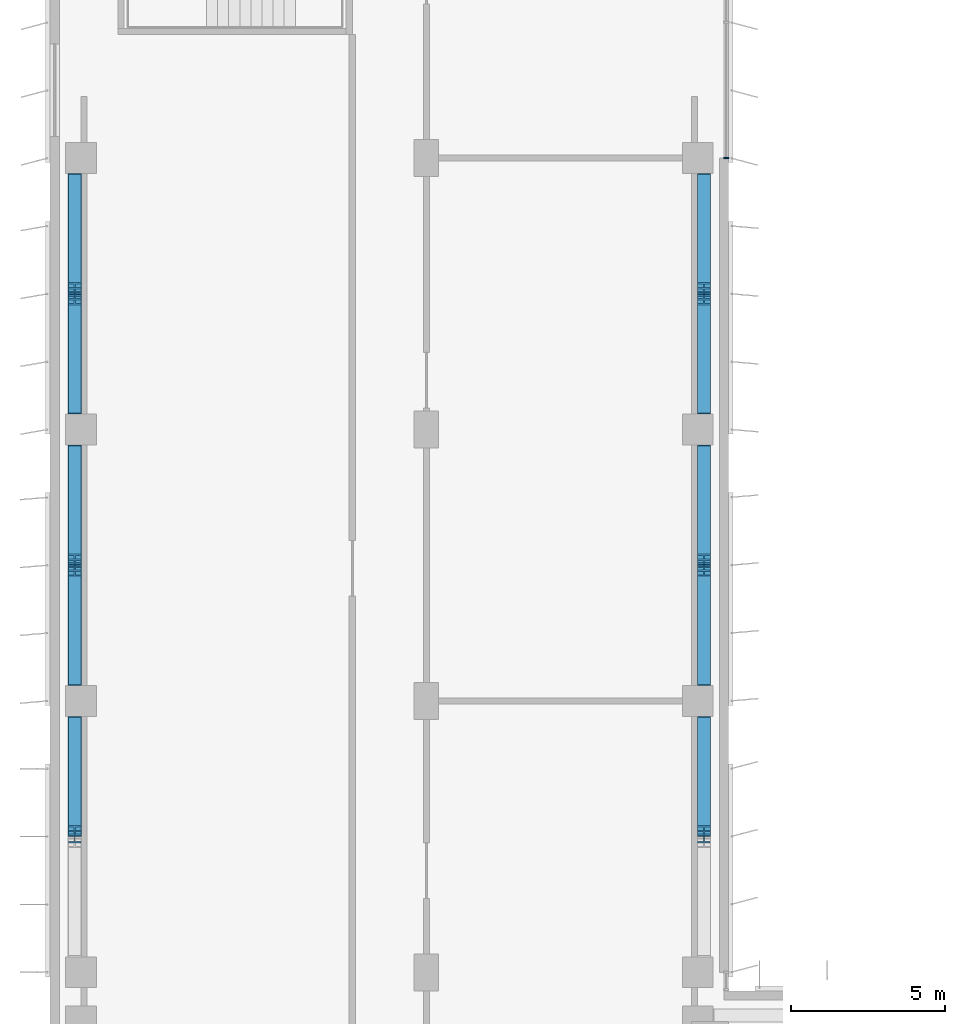
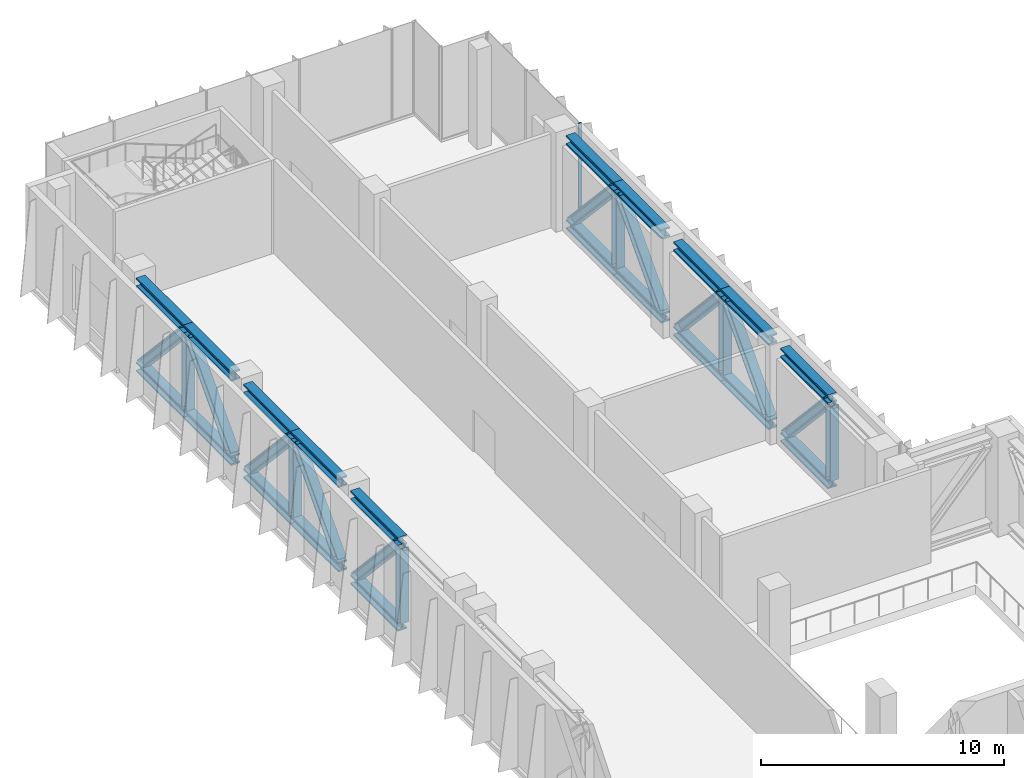
# One storey, part 5 of 17: 20 beams, 17 members, 1 element without a shape of its own.
"""IFC4 building model written with IfcOpenShell, lengths in metres."""

from ifc_helpers import new_model, si_unit, direction, frame, origin, origin_2d, place, context, subcontext, project, spatial, rectangle, i_section, extrude, source, transform, mapped, material, material_profile, profile_set, type_object, element, aggregate, save


model = new_model("IFC4")

# Units and contexts
model_context = context("Model", 3, precision=1e-05, world=origin(), true_north=direction((0.0, 1.0)))
body_context = subcontext(model_context, "Body", "Model", "MODEL_VIEW")
ifc_project = project(units=[si_unit("LENGTHUNIT", "METRE"), si_unit("AREAUNIT", "SQUARE_METRE"), si_unit("VOLUMEUNIT", "CUBIC_METRE"), si_unit("PLANEANGLEUNIT", "RADIAN"), si_unit("MASSUNIT", "GRAM", prefix="KILO")], contexts=[model_context])

# Site, building, storey
site_placement = place(None, origin())
site = spatial("IfcSite", under=ifc_project, at=site_placement, CompositionType="ELEMENT")
building_placement = place(site_placement, origin())
building = spatial("IfcBuilding", under=site, at=building_placement, Name="Kemantara Hotel Tower", CompositionType="ELEMENT")
storey_placement = place(building_placement, frame((0.0, 0.0, 193.800048828125)))
storey = spatial("IfcBuildingStorey", under=building, at=storey_placement, Name="L48", CompositionType="ELEMENT", Elevation=193.800048828125)

# Beams
ifc_material_1 = material(Name="Steel ASTM A992 Grade 50", Category="steel")
ifc_material_profile_1 = material_profile(ifc_material_1, i_section(OverallWidth=0.424072265625, OverallDepth=0.47509765625, WebThickness=0.0478515625, FlangeThickness=0.0771484375, at=origin_2d()), Name="W360X634")
ifc_profile_set_1 = profile_set([ifc_material_profile_1], Name="Steel ASTM A992 Grade 50")
beam_type = type_object("IfcBeamType", Name="BELT L48 TRUSS CHORD W360X634", PredefinedType="BEAM", material=ifc_profile_set_1)
for number, where, z_axis, x_axis, name in (
    (1, (0.800048828125, 31.800048828125, 0.237548828125), (0.0, 1.0, 0.0), (-1.0, 0.0, 0.0), "BELT L48 BAY 4 bottom chord 2"),
    (2, (0.800048828125, 31.800048828125, 4.46240234375), (0.0, 1.0, 0.0), (-1.0, 0.0, 0.0), "BELT L48 BAY 4 top chord 2"),
):
    element("IfcBeam", number, at=place(storey_placement, frame(where, z_axis=z_axis, x_axis=x_axis)), inside=storey, type_object=beam_type, Name=name, PredefinedType="BEAM", context=body_context, shape_type="SweptSolid", body=[
        extrude(i_section(OverallWidth=0.424072265625, OverallDepth=0.47509765625, WebThickness=0.0478515625, FlangeThickness=0.0771484375, at=origin_2d()), origin(), (0.0, 0.0, 1.0), 3.89990234375),
    ])
beam_1_placement = place(storey_placement, frame((0.800048828125, 36.699951171875, 0.237548828125), z_axis=(0.0, 1.0, 0.0), x_axis=(-1.0, 0.0, 0.0)))
element("IfcBeam", 3, at=beam_1_placement, inside=storey, type_object=beam_type, Name="BELT L48 BAY 5 bottom chord 1", PredefinedType="BEAM", context=body_context, shape_type="SweptSolid", body=[
    extrude(i_section(OverallWidth=0.424072265625, OverallDepth=0.47509765625, WebThickness=0.0478515625, FlangeThickness=0.0771484375, at=origin_2d()), origin(), (0.0, 0.0, 1.0), 3.900146484375),
])
beam_2_placement = place(storey_placement, frame((0.800048828125, 40.60009765625, 0.237548828125), z_axis=(0.0, 1.0, 0.0), x_axis=(-1.0, 0.0, 0.0)))
element("IfcBeam", 4, at=beam_2_placement, inside=storey, type_object=beam_type, Name="BELT L48 BAY 5 bottom chord 2", PredefinedType="BEAM", context=body_context, shape_type="SweptSolid", body=[
    extrude(i_section(OverallWidth=0.424072265625, OverallDepth=0.47509765625, WebThickness=0.0478515625, FlangeThickness=0.0771484375, at=origin_2d()), origin(), (0.0, 0.0, 1.0), 3.89990234375),
])
beam_3_placement = place(storey_placement, frame((0.800048828125, 36.699951171875, 4.46240234375), z_axis=(0.0, 1.0, 0.0), x_axis=(-1.0, 0.0, 0.0)))
element("IfcBeam", 5, at=beam_3_placement, inside=storey, type_object=beam_type, Name="BELT L48 BAY 5 top chord 1", PredefinedType="BEAM", context=body_context, shape_type="SweptSolid", body=[
    extrude(i_section(OverallWidth=0.424072265625, OverallDepth=0.47509765625, WebThickness=0.0478515625, FlangeThickness=0.0771484375, at=origin_2d()), origin(), (0.0, 0.0, 1.0), 3.900146484375),
])
for number, where, z_axis, x_axis, name in (
    (6, (0.800048828125, 40.60009765625, 4.46240234375), (0.0, 1.0, 0.0), (-1.0, 0.0, 0.0), "BELT L48 BAY 5 top chord 2"),
    (7, (0.800048828125, 45.5, 0.237548828125), (0.0, 1.0, 0.0), (-1.0, 0.0, 0.0), "BELT L48 BAY 6 bottom chord 1"),
):
    element("IfcBeam", number, at=place(storey_placement, frame(where, z_axis=z_axis, x_axis=x_axis)), inside=storey, type_object=beam_type, Name=name, PredefinedType="BEAM", context=body_context, shape_type="SweptSolid", body=[
        extrude(i_section(OverallWidth=0.424072265625, OverallDepth=0.47509765625, WebThickness=0.0478515625, FlangeThickness=0.0771484375, at=origin_2d()), origin(), (0.0, 0.0, 1.0), 3.89990234375),
    ])
beam_4_placement = place(storey_placement, frame((0.800048828125, 49.39990234375, 0.237548828125), z_axis=(0.0, 1.0, 0.0), x_axis=(-1.0, 0.0, 0.0)))
element("IfcBeam", 8, at=beam_4_placement, inside=storey, type_object=beam_type, Name="BELT L48 BAY 6 bottom chord 2", PredefinedType="BEAM", context=body_context, shape_type="SweptSolid", body=[
    extrude(i_section(OverallWidth=0.424072265625, OverallDepth=0.47509765625, WebThickness=0.0478515625, FlangeThickness=0.0771484375, at=origin_2d()), origin(), (0.0, 0.0, 1.0), 3.900146484375),
])
beam_5_placement = place(storey_placement, frame((0.800048828125, 45.5, 4.46240234375), z_axis=(0.0, 1.0, 0.0), x_axis=(-1.0, 0.0, 0.0)))
element("IfcBeam", 9, at=beam_5_placement, inside=storey, type_object=beam_type, Name="BELT L48 BAY 6 top chord 1", PredefinedType="BEAM", context=body_context, shape_type="SweptSolid", body=[
    extrude(i_section(OverallWidth=0.424072265625, OverallDepth=0.47509765625, WebThickness=0.0478515625, FlangeThickness=0.0771484375, at=origin_2d()), origin(), (0.0, 0.0, 1.0), 3.89990234375),
])
beam_6_placement = place(storey_placement, frame((0.800048828125, 49.39990234375, 4.46240234375), z_axis=(0.0, 1.0, 0.0), x_axis=(-1.0, 0.0, 0.0)))
element("IfcBeam", 10, at=beam_6_placement, inside=storey, type_object=beam_type, Name="BELT L48 BAY 6 top chord 2", PredefinedType="BEAM", context=body_context, shape_type="SweptSolid", body=[
    extrude(i_section(OverallWidth=0.424072265625, OverallDepth=0.47509765625, WebThickness=0.0478515625, FlangeThickness=0.0771484375, at=origin_2d()), origin(), (0.0, 0.0, 1.0), 3.900146484375),
])
for number, where, z_axis, x_axis, name in (
    (11, (21.199951171875, 31.800048828125, 0.237548828125), (0.0, 1.0, 0.0), (-1.0, 0.0, 0.0), "BELT L48 BAY 8 bottom chord 2"),
    (12, (21.199951171875, 31.800048828125, 4.46240234375), (0.0, 1.0, 0.0), (-1.0, 0.0, 0.0), "BELT L48 BAY 8 top chord 2"),
):
    element("IfcBeam", number, at=place(storey_placement, frame(where, z_axis=z_axis, x_axis=x_axis)), inside=storey, type_object=beam_type, Name=name, PredefinedType="BEAM", context=body_context, shape_type="SweptSolid", body=[
        extrude(i_section(OverallWidth=0.424072265625, OverallDepth=0.47509765625, WebThickness=0.0478515625, FlangeThickness=0.0771484375, at=origin_2d()), origin(), (0.0, 0.0, 1.0), 3.89990234375),
    ])
beam_7_placement = place(storey_placement, frame((21.199951171875, 36.699951171875, 0.237548828125), z_axis=(0.0, 1.0, 0.0), x_axis=(-1.0, 0.0, 0.0)))
element("IfcBeam", 13, at=beam_7_placement, inside=storey, type_object=beam_type, Name="BELT L48 BAY 9 bottom chord 1", PredefinedType="BEAM", context=body_context, shape_type="SweptSolid", body=[
    extrude(i_section(OverallWidth=0.424072265625, OverallDepth=0.47509765625, WebThickness=0.0478515625, FlangeThickness=0.0771484375, at=origin_2d()), origin(), (0.0, 0.0, 1.0), 3.900146484375),
])
beam_8_placement = place(storey_placement, frame((21.199951171875, 40.60009765625, 0.237548828125), z_axis=(0.0, 1.0, 0.0), x_axis=(-1.0, 0.0, 0.0)))
element("IfcBeam", 14, at=beam_8_placement, inside=storey, type_object=beam_type, Name="BELT L48 BAY 9 bottom chord 2", PredefinedType="BEAM", context=body_context, shape_type="SweptSolid", body=[
    extrude(i_section(OverallWidth=0.424072265625, OverallDepth=0.47509765625, WebThickness=0.0478515625, FlangeThickness=0.0771484375, at=origin_2d()), origin(), (0.0, 0.0, 1.0), 3.89990234375),
])
beam_9_placement = place(storey_placement, frame((21.199951171875, 36.699951171875, 4.46240234375), z_axis=(0.0, 1.0, 0.0), x_axis=(-1.0, 0.0, 0.0)))
element("IfcBeam", 15, at=beam_9_placement, inside=storey, type_object=beam_type, Name="BELT L48 BAY 9 top chord 1", PredefinedType="BEAM", context=body_context, shape_type="SweptSolid", body=[
    extrude(i_section(OverallWidth=0.424072265625, OverallDepth=0.47509765625, WebThickness=0.0478515625, FlangeThickness=0.0771484375, at=origin_2d()), origin(), (0.0, 0.0, 1.0), 3.900146484375),
])
for number, where, z_axis, x_axis, name in (
    (16, (21.199951171875, 40.60009765625, 4.46240234375), (0.0, 1.0, 0.0), (-1.0, 0.0, 0.0), "BELT L48 BAY 9 top chord 2"),
    (17, (21.199951171875, 45.5, 0.237548828125), (0.0, 1.0, 0.0), (-1.0, 0.0, 0.0), "BELT L48 BAY 10 bottom chord 1"),
):
    element("IfcBeam", number, at=place(storey_placement, frame(where, z_axis=z_axis, x_axis=x_axis)), inside=storey, type_object=beam_type, Name=name, PredefinedType="BEAM", context=body_context, shape_type="SweptSolid", body=[
        extrude(i_section(OverallWidth=0.424072265625, OverallDepth=0.47509765625, WebThickness=0.0478515625, FlangeThickness=0.0771484375, at=origin_2d()), origin(), (0.0, 0.0, 1.0), 3.89990234375),
    ])
beam_10_placement = place(storey_placement, frame((21.199951171875, 49.39990234375, 0.237548828125), z_axis=(0.0, 1.0, 0.0), x_axis=(-1.0, 0.0, 0.0)))
element("IfcBeam", 18, at=beam_10_placement, inside=storey, type_object=beam_type, Name="BELT L48 BAY 10 bottom chord 2", PredefinedType="BEAM", context=body_context, shape_type="SweptSolid", body=[
    extrude(i_section(OverallWidth=0.424072265625, OverallDepth=0.47509765625, WebThickness=0.0478515625, FlangeThickness=0.0771484375, at=origin_2d()), origin(), (0.0, 0.0, 1.0), 3.900146484375),
])
beam_11_placement = place(storey_placement, frame((21.199951171875, 45.5, 4.46240234375), z_axis=(0.0, 1.0, 0.0), x_axis=(-1.0, 0.0, 0.0)))
element("IfcBeam", 19, at=beam_11_placement, inside=storey, type_object=beam_type, Name="BELT L48 BAY 10 top chord 1", PredefinedType="BEAM", context=body_context, shape_type="SweptSolid", body=[
    extrude(i_section(OverallWidth=0.424072265625, OverallDepth=0.47509765625, WebThickness=0.0478515625, FlangeThickness=0.0771484375, at=origin_2d()), origin(), (0.0, 0.0, 1.0), 3.89990234375),
])
beam_12_placement = place(storey_placement, frame((21.199951171875, 49.39990234375, 4.46240234375), z_axis=(0.0, 1.0, 0.0), x_axis=(-1.0, 0.0, 0.0)))
element("IfcBeam", 20, at=beam_12_placement, inside=storey, type_object=beam_type, Name="BELT L48 BAY 10 top chord 2", PredefinedType="BEAM", context=body_context, shape_type="SweptSolid", body=[
    extrude(i_section(OverallWidth=0.424072265625, OverallDepth=0.47509765625, WebThickness=0.0478515625, FlangeThickness=0.0771484375, at=origin_2d()), origin(), (0.0, 0.0, 1.0), 3.900146484375),
])

# Members
ifc_material_profile_2 = material_profile(ifc_material_1, i_section(OverallWidth=0.410888671875, OverallDepth=0.43408203125, WebThickness=0.035888671875, FlangeThickness=0.057373046875, at=origin_2d()), Name="W360X463")
ifc_profile_set_2 = profile_set([ifc_material_profile_2], Name="Steel ASTM A992 Grade 50")
member_type_1 = type_object("IfcMemberType", Name="BELT L48 TRUSS DIAGONAL W360X463", PredefinedType="BRACE", material=ifc_profile_set_2)
member_1_placement = place(storey_placement, frame((0.800048828125, 35.501708984375, 0.4521484375), z_axis=(0.0, -0.678252619101, 0.734828813182), x_axis=(1.0, 0.0, 0.0)))
element("IfcMember", 21, at=member_1_placement, inside=storey, type_object=member_type_1, Name="BELT L48 BAY 4 diagonal 2", PredefinedType="BRACE", context=body_context, shape_type="SweptSolid", body=[
    extrude(i_section(OverallWidth=0.410888671875, OverallDepth=0.43408203125, WebThickness=0.035888671875, FlangeThickness=0.057373046875, at=origin_2d()), origin(), (0.0, 0.0, 1.0), 5.165283203125),
])
member_2_placement = place(storey_placement, frame((0.800048828125, 36.898193359375, 0.4521484375), z_axis=(0.0, 0.678278139711, 0.734805256643), x_axis=(-1.0, 0.0, 0.0)))
element("IfcMember", 22, at=member_2_placement, inside=storey, type_object=member_type_1, Name="BELT L48 BAY 5 diagonal 1", PredefinedType="BRACE", context=body_context, shape_type="SweptSolid", body=[
    extrude(i_section(OverallWidth=0.410888671875, OverallDepth=0.43408203125, WebThickness=0.035888671875, FlangeThickness=0.057373046875, at=origin_2d()), origin(), (0.0, 0.0, 1.0), 5.16552734375),
])
for number, where, z_axis, x_axis, name in (
    (23, (0.800048828125, 44.3017578125, 0.4521484375), (0.0, -0.678252619101, 0.734828813182), (1.0, 0.0, 0.0), "BELT L48 BAY 5 diagonal 2"),
    (24, (0.800048828125, 45.6982421875, 0.4521484375), (0.0, 0.678252619101, 0.734828813182), (-1.0, 0.0, 0.0), "BELT L48 BAY 6 diagonal 1"),
):
    element("IfcMember", number, at=place(storey_placement, frame(where, z_axis=z_axis, x_axis=x_axis)), inside=storey, type_object=member_type_1, Name=name, PredefinedType="BRACE", context=body_context, shape_type="SweptSolid", body=[
        extrude(i_section(OverallWidth=0.410888671875, OverallDepth=0.43408203125, WebThickness=0.035888671875, FlangeThickness=0.057373046875, at=origin_2d()), origin(), (0.0, 0.0, 1.0), 5.165283203125),
    ])
member_3_placement = place(storey_placement, frame((0.800048828125, 53.101806640625, 0.4521484375), z_axis=(0.0, -0.678278139711, 0.734805256643), x_axis=(1.0, 0.0, 0.0)))
element("IfcMember", 25, at=member_3_placement, inside=storey, type_object=member_type_1, Name="BELT L48 BAY 6 diagonal 2", PredefinedType="BRACE", context=body_context, shape_type="SweptSolid", body=[
    extrude(i_section(OverallWidth=0.410888671875, OverallDepth=0.43408203125, WebThickness=0.035888671875, FlangeThickness=0.057373046875, at=origin_2d()), origin(), (0.0, 0.0, 1.0), 5.16552734375),
])
member_4_placement = place(storey_placement, frame((21.199951171875, 35.501708984375, 0.4521484375), z_axis=(0.0, -0.678252619101, 0.734828813182), x_axis=(1.0, 0.0, 0.0)))
element("IfcMember", 26, at=member_4_placement, inside=storey, type_object=member_type_1, Name="BELT L48 BAY 8 diagonal 2", PredefinedType="BRACE", context=body_context, shape_type="SweptSolid", body=[
    extrude(i_section(OverallWidth=0.410888671875, OverallDepth=0.43408203125, WebThickness=0.035888671875, FlangeThickness=0.057373046875, at=origin_2d()), origin(), (0.0, 0.0, 1.0), 5.165283203125),
])
member_5_placement = place(storey_placement, frame((21.199951171875, 36.898193359375, 0.4521484375), z_axis=(0.0, 0.678278139711, 0.734805256643), x_axis=(-1.0, 0.0, 0.0)))
element("IfcMember", 27, at=member_5_placement, inside=storey, type_object=member_type_1, Name="BELT L48 BAY 9 diagonal 1", PredefinedType="BRACE", context=body_context, shape_type="SweptSolid", body=[
    extrude(i_section(OverallWidth=0.410888671875, OverallDepth=0.43408203125, WebThickness=0.035888671875, FlangeThickness=0.057373046875, at=origin_2d()), origin(), (0.0, 0.0, 1.0), 5.16552734375),
])
for number, where, z_axis, x_axis, name in (
    (28, (21.199951171875, 44.3017578125, 0.4521484375), (0.0, -0.678252619101, 0.734828813182), (1.0, 0.0, 0.0), "BELT L48 BAY 9 diagonal 2"),
    (29, (21.199951171875, 45.6982421875, 0.4521484375), (0.0, 0.678252619101, 0.734828813182), (-1.0, 0.0, 0.0), "BELT L48 BAY 10 diagonal 1"),
):
    element("IfcMember", number, at=place(storey_placement, frame(where, z_axis=z_axis, x_axis=x_axis)), inside=storey, type_object=member_type_1, Name=name, PredefinedType="BRACE", context=body_context, shape_type="SweptSolid", body=[
        extrude(i_section(OverallWidth=0.410888671875, OverallDepth=0.43408203125, WebThickness=0.035888671875, FlangeThickness=0.057373046875, at=origin_2d()), origin(), (0.0, 0.0, 1.0), 5.165283203125),
    ])
member_6_placement = place(storey_placement, frame((21.199951171875, 53.101806640625, 0.4521484375), z_axis=(0.0, -0.678278139711, 0.734805256643), x_axis=(1.0, 0.0, 0.0)))
element("IfcMember", 30, at=member_6_placement, inside=storey, type_object=member_type_1, Name="BELT L48 BAY 10 diagonal 2", PredefinedType="BRACE", context=body_context, shape_type="SweptSolid", body=[
    extrude(i_section(OverallWidth=0.410888671875, OverallDepth=0.43408203125, WebThickness=0.035888671875, FlangeThickness=0.057373046875, at=origin_2d()), origin(), (0.0, 0.0, 1.0), 5.16552734375),
])
ifc_material_profile_3 = material_profile(ifc_material_1, i_section(OverallWidth=0.404052734375, OverallDepth=0.406005859375, WebThickness=0.027099609375, FlangeThickness=0.043701171875, at=origin_2d()), Name="W360X347")
ifc_profile_set_3 = profile_set([ifc_material_profile_3], Name="Steel ASTM A992 Grade 50")
member_type_2 = type_object("IfcMemberType", Name="BELT L48 TRUSS POST W360X347", PredefinedType="POST", material=ifc_profile_set_3)
for number, where, z_axis, x_axis, name in (
    (31, (0.800048828125, 31.800048828125, 0.474853515625), (0.0, 0.0, 1.0), (1.0, 0.0, 0.0), "BELT L48 BAY 4 post 2"),
    (32, (0.800048828125, 40.60009765625, 0.474853515625), (0.0, 0.0, 1.0), (1.0, 0.0, 0.0), "BELT L48 BAY 5 post 2"),
    (33, (0.800048828125, 49.39990234375, 0.474853515625), (0.0, 0.0, 1.0), (1.0, 0.0, 0.0), "BELT L48 BAY 6 post 2"),
    (34, (21.199951171875, 31.800048828125, 0.474853515625), (0.0, 0.0, 1.0), (1.0, 0.0, 0.0), "BELT L48 BAY 8 post 2"),
    (35, (21.199951171875, 40.60009765625, 0.474853515625), (0.0, 0.0, 1.0), (1.0, 0.0, 0.0), "BELT L48 BAY 9 post 2"),
    (36, (21.199951171875, 49.39990234375, 0.474853515625), (0.0, 0.0, 1.0), (1.0, 0.0, 0.0), "BELT L48 BAY 10 post 2"),
):
    element("IfcMember", number, at=place(storey_placement, frame(where, z_axis=z_axis, x_axis=x_axis)), inside=storey, type_object=member_type_2, Name=name, PredefinedType="POST", context=body_context, shape_type="SweptSolid", body=[
        extrude(i_section(OverallWidth=0.404052734375, OverallDepth=0.406005859375, WebThickness=0.027099609375, FlangeThickness=0.043701171875, at=origin_2d()), origin(), (0.0, 0.0, 1.0), 3.75),
    ])

# Curtain wall, member
ifc_material_2 = material(Name="Low-E tinted double insulated glass 36 mm", Category="glass")
curtain_wall_type = type_object("IfcCurtainWallType", Name="TOWER CURTAIN WALL, FRONT FACES", PredefinedType="USERDEFINED", material=ifc_material_2)
curtain_wall_placement = place(storey_placement, origin())
curtain_wall = element("IfcCurtainWall", 37, at=curtain_wall_placement, inside=storey, type_object=curtain_wall_type, Name="CW4 L48 T3-R17-2", ObjectType="TOWER CURTAIN WALL, FRONT FACES", PredefinedType="USERDEFINED")
ifc_material_3 = material(Name="Aluminium 6063-T6 bronze anodised", Category="aluminium")
ifc_material_profile_4 = material_profile(ifc_material_3, rectangle(XDim=0.14990234375, YDim=0.06005859375, at=origin_2d()), Name="TOWER CURTAIN WALL, FRONT FACES MULLION")
ifc_profile_set_4 = profile_set([ifc_material_profile_4], Name="Aluminium 6063-T6 bronze anodised")
member_type_3 = type_object("IfcMemberType", Name="TOWER CURTAIN WALL, FRONT FACES MULLION", PredefinedType="MULLION", material=ifc_profile_set_4)
shared_shape = source(origin(), body_context, "Body", "SweptSolid", [
    extrude(rectangle(XDim=0.14990234375, YDim=0.06005859375, at=origin_2d()), origin(), (0.0, 0.0, 1.0), 4.580078125),
])
member_7_placement = place(storey_placement, frame((21.925048828125, 53.800048828125, 0.119873046875), z_axis=(0.0, 0.0, 1.0), x_axis=(-1.0, 0.0, 0.0)))
member_7 = element("IfcMember", 38, at=member_7_placement, type_object=member_type_3, Name="CW4 mullion T3-R17-2.1", PredefinedType="MULLION", context=body_context, shape_type="MappedRepresentation", body=[
    mapped(shared_shape, transform((0.0, 0.0, 0.0))),
])
aggregate(curtain_wall, [member_7])

save(model, "model.ifc")
